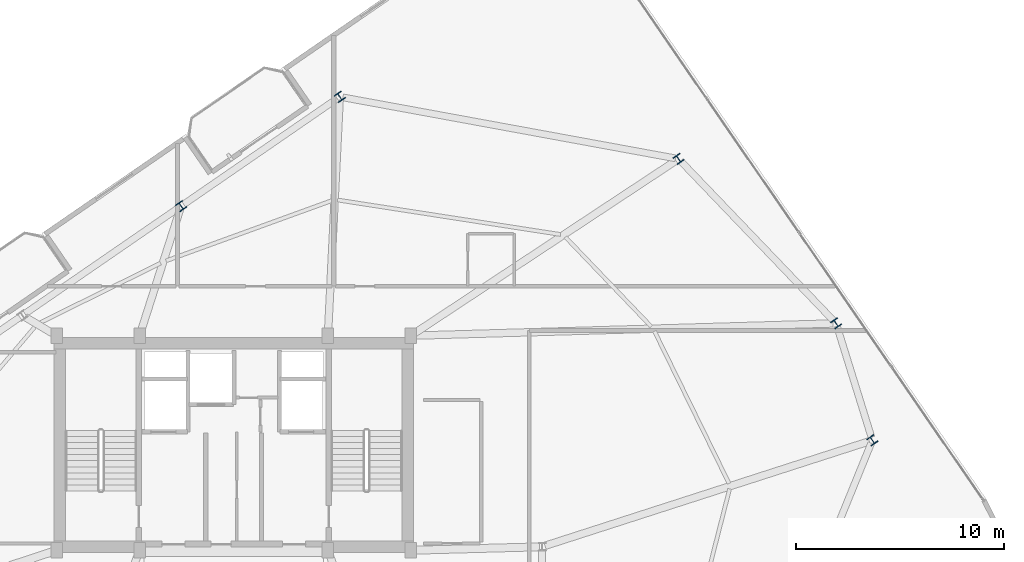
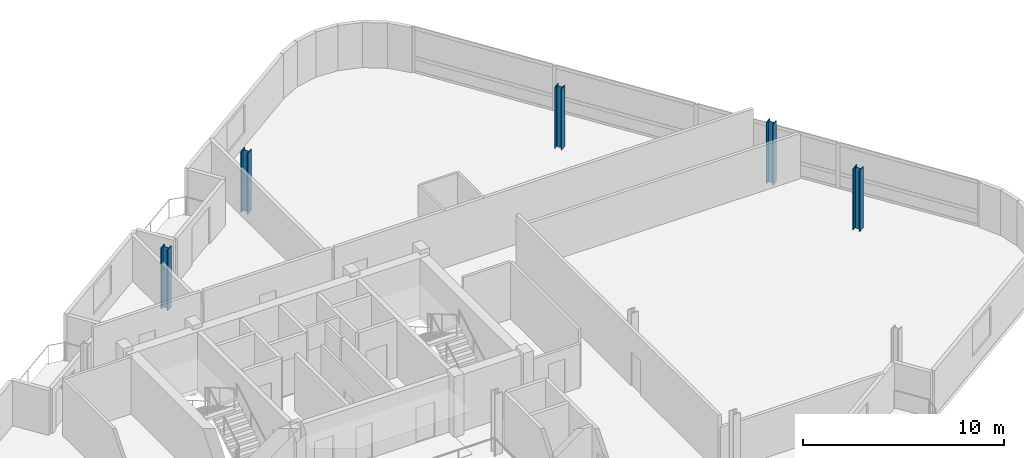
# One storey, part 2 of 21: 5 columns.
"""IFC4 building model written with IfcOpenShell, lengths in metres."""

import ifcopenshell
import ifcopenshell.guid

model = None  # the IFC model being written
_history = None  # IfcOwnerHistory: only IFC2X3 demands one
_inside = {}  # id of a spatial element -> (the spatial element, [elements in it])
_under = {}  # id of a project, library or spatial element -> (it, [spatial elements below it])
_declared = {}  # id of a project -> (the project, [libraries it declares])
_typed = {}  # id of a type object -> (the type object, [elements of that type])
_made_of = {}  # id of a material, layer set ... -> (it, [elements and type objects made of it])


def new_model(schema):
    """Start an empty IFC model of exactly this schema.

    Asked for "IFC4X3", IfcOpenShell would pick the latest addendum, in which some entities
    have other attributes; the version numbers below select the first issue.
    IFC2X3 requires an IfcOwnerHistory on every rooted entity: one is made here for all.
    """
    global model, _history
    if schema == "IFC4X3":
        model = ifcopenshell.file(schema_version=(4, 3, 0, 0))
    else:
        model = ifcopenshell.file(schema=schema)
    _inside.clear()
    _under.clear()
    _declared.clear()
    _typed.clear()
    _made_of.clear()
    _history = None
    if model.schema == "IFC2X3":
        org = make("IfcOrganization", Name="unknown")
        user = make(
            "IfcPersonAndOrganization",
            ThePerson=make("IfcPerson", FamilyName="unknown"),
            TheOrganization=org,
        )
        app = make(
            "IfcApplication",
            ApplicationDeveloper=org,
            Version="unknown",
            ApplicationFullName="unknown",
            ApplicationIdentifier="unknown",
        )
        _history = make(
            "IfcOwnerHistory",
            OwningUser=user,
            OwningApplication=app,
            ChangeAction="ADDED",
            CreationDate=0,
        )
    return model


def make(cls, **values):
    """One entity of the class cls with the attributes given. An attribute that is None is left unset."""
    return model.create_entity(
        cls, **{name: value for name, value in values.items() if value is not None}
    )


def rooted(cls, **values):
    """An entity with a GlobalId (a new one), such as an element, a storey or a relation."""
    return make(cls, GlobalId=ifcopenshell.guid.new(), OwnerHistory=_history, **values)


def si_unit(unit_type, name, prefix=None):
    """IfcSIUnit, for example si_unit("LENGTHUNIT", "METRE", prefix="MILLI")."""
    return make("IfcSIUnit", UnitType=unit_type, Prefix=prefix, Name=name)


def assignment(units):
    """IfcUnitAssignment: the units of a project."""
    return None if units is None else make("IfcUnitAssignment", Units=units)


def point(xyz):
    """IfcCartesianPoint."""
    return None if xyz is None else make("IfcCartesianPoint", Coordinates=xyz)


def direction(xyz):
    """IfcDirection."""
    return None if xyz is None else make("IfcDirection", DirectionRatios=xyz)


def frame(location, z_axis=None, x_axis=None):
    """IfcAxis2Placement3D, a coordinate frame: its origin and axes. An axis left out is left unset."""
    return make(
        "IfcAxis2Placement3D",
        Location=point(location),
        Axis=direction(z_axis),
        RefDirection=direction(x_axis),
    )


def frame_2d(location, x_axis=None):
    """IfcAxis2Placement2D, a coordinate frame in the plane: its origin and x axis."""
    return make(
        "IfcAxis2Placement2D", Location=point(location), RefDirection=direction(x_axis)
    )


def origin():
    """The frame at (0, 0, 0) with its axes left unset."""
    return frame((0.0, 0.0, 0.0))


def origin_2d():
    """The frame at (0, 0) in the plane with its x axis left unset."""
    return frame_2d((0.0, 0.0))


def place(relative_to, where):
    """IfcLocalPlacement: puts the frame where relative to a parent placement (None: the world)."""
    return make(
        "IfcLocalPlacement", PlacementRelTo=relative_to, RelativePlacement=where
    )


def context(
    kind, dimensions, precision=None, world=None, true_north=None, identifier=None
):
    """IfcGeometricRepresentationContext, for example the 3D "Model" context."""
    return make(
        "IfcGeometricRepresentationContext",
        ContextIdentifier=identifier,
        ContextType=kind,
        CoordinateSpaceDimension=dimensions,
        Precision=precision,
        WorldCoordinateSystem=world,
        TrueNorth=true_north,
    )


def subcontext(parent, identifier, kind, view, scale=None):
    """IfcGeometricRepresentationSubContext, for example "Body" below "Model"."""
    return make(
        "IfcGeometricRepresentationSubContext",
        ContextIdentifier=identifier,
        ContextType=kind,
        ParentContext=parent,
        TargetScale=scale,
        TargetView=view,
    )


def project(units=None, contexts=None):
    """IfcProject with its units and contexts."""
    return rooted(
        "IfcProject",
        Name="project",
        RepresentationContexts=contexts,
        UnitsInContext=assignment(units),
    )


def spatial(cls, under=None, at=None, **own):
    """A site, building, storey or space (cls), placed at a placement, below another one or the project."""
    s = rooted(cls, ObjectPlacement=at, **own)
    if under is not None:
        _under.setdefault(under.id(), (under, []))[1].append(s)
    return s


def profile(cls, at=None, kind="AREA", **sizes):
    """A parametric profile (cls). Its sizes go by their IFC names, for example OverallWidth=200.0."""
    return make(cls, ProfileType=kind, Position=at, **sizes)


def i_section(**sizes):
    """IfcIShapeProfileDef."""
    return profile("IfcIShapeProfileDef", **sizes)


def extrude(swept, where, along, depth):
    """IfcExtrudedAreaSolid: the profile swept, set in the frame where, extruded along a direction by depth."""
    return make(
        "IfcExtrudedAreaSolid",
        SweptArea=swept,
        Position=where,
        ExtrudedDirection=direction(along),
        Depth=depth,
    )


def shape(context_of_items, identifier, shape_type, items):
    """IfcShapeRepresentation: the items that make up one representation, for example the "Body"."""
    return make(
        "IfcShapeRepresentation",
        ContextOfItems=context_of_items,
        RepresentationIdentifier=identifier,
        RepresentationType=shape_type,
        Items=items,
    )


def material(Name=None, Category=None):
    """IfcMaterial."""
    return make("IfcMaterial", Name=Name, Category=Category)


def material_profile(
    of_material, cross_section, Name=None, Category=None, Priority=None
):
    """IfcMaterialProfile: a cross section and its material."""
    return make(
        "IfcMaterialProfile",
        Name=Name,
        Material=of_material,
        Profile=cross_section,
        Priority=Priority,
        Category=Category,
    )


def profile_set(profiles, Name=None, composite=None):
    """IfcMaterialProfileSet."""
    return make(
        "IfcMaterialProfileSet",
        Name=Name,
        MaterialProfiles=profiles,
        CompositeProfile=composite,
    )


def made_of(thing, what):
    """Note that an element or type object is made of a material, layer set ...; save() writes the relation."""
    if what is not None:
        _made_of.setdefault(what.id(), (what, []))[1].append(thing)
    return thing


def type_object(cls, material=None, **own):
    """A type object (cls), such as IfcWallType, which elements share."""
    return made_of(rooted(cls, **own), material)


def element(
    cls,
    number,
    at=None,
    inside=None,
    cuts=None,
    type_object=None,
    material=None,
    context=None,
    identifier="Body",
    shape_type=None,
    held_by="IfcProductDefinitionShape",
    body=None,
    shapes=None,
    **own,
):
    """One element of the class cls, such as IfcWall. Its Tag is "e" and its number.

    at: its placement. inside: the storey or other place that contains it. cuts: it is an
    opening in that element (IfcRelVoidsElement). A single representation is given by context,
    identifier, shape_type and body (its items); several are given by shapes. held_by: the class
    of the entity that holds the representations. save() writes the other relations.
    """
    e = rooted(cls, Tag="e%d" % number, ObjectPlacement=at, **own)
    if body is not None:
        shapes = [shape(context, identifier, shape_type, body)]
    if shapes is not None:
        e.Representation = make(held_by, Representations=shapes)
    if inside is not None:
        _inside.setdefault(inside.id(), (inside, []))[1].append(e)
    if cuts is not None:
        rooted(
            "IfcRelVoidsElement", RelatingBuildingElement=cuts, RelatedOpeningElement=e
        )
    if type_object is not None:
        _typed.setdefault(type_object.id(), (type_object, []))[1].append(e)
    return made_of(e, material)


def aggregate(whole, parts):
    """IfcRelAggregates: a whole, such as a stair, and the parts it consists of."""
    return rooted("IfcRelAggregates", RelatingObject=whole, RelatedObjects=parts)


def save(model, path):
    """Write the relations noted so far, then the file.

    IfcRelAggregates (storeys below a building ...), IfcRelContainedInSpatialStructure (elements
    in a storey), IfcRelDefinesByType, IfcRelAssociatesMaterial and IfcRelDeclares: one each for
    every whole, place, type object, material and project.
    """
    for whole, parts in _under.values():
        aggregate(whole, parts)
    for where, things in _inside.values():
        rooted(
            "IfcRelContainedInSpatialStructure",
            RelatedElements=things,
            RelatingStructure=where,
        )
    for kind, things in _typed.values():
        rooted("IfcRelDefinesByType", RelatedObjects=things, RelatingType=kind)
    for what, things in _made_of.values():
        rooted("IfcRelAssociatesMaterial", RelatedObjects=things, RelatingMaterial=what)
    for by, libraries in _declared.values():
        rooted("IfcRelDeclares", RelatingContext=by, RelatedDefinitions=libraries)
    model.write(path)


model = new_model("IFC4")

# Units and contexts
model_context = context("Model", 3, precision=1e-05, world=origin(), true_north=direction((0.0, 1.0)))
body_context = subcontext(model_context, "Body", "Model", "MODEL_VIEW")
ifc_project = project(units=[si_unit("LENGTHUNIT", "METRE"), si_unit("AREAUNIT", "SQUARE_METRE"), si_unit("VOLUMEUNIT", "CUBIC_METRE"), si_unit("PLANEANGLEUNIT", "RADIAN"), si_unit("MASSUNIT", "GRAM", prefix="KILO")], contexts=[model_context])

# Site, building, storey
site_placement = place(None, origin())
site = spatial("IfcSite", under=ifc_project, at=site_placement, CompositionType="ELEMENT")
building_placement = place(site_placement, origin())
building = spatial("IfcBuilding", under=site, at=building_placement, Name="Varnelok Gate Tower", CompositionType="ELEMENT")
storey_placement = place(building_placement, frame((0.0, 0.0, 261.89990234375)))
storey = spatial("IfcBuildingStorey", under=building, at=storey_placement, Name="L67", CompositionType="ELEMENT", Elevation=261.89990234375)

# Columns
ifc_material = material(Name="Structural Steel ASTM A992 Grade 50", Category="steel")
ifc_material_profile = material_profile(ifc_material, i_section(OverallWidth=0.40087890625, OverallDepth=0.39892578125, WebThickness=0.02490234375, FlangeThickness=0.03955078125, FilletRadius=0.02197265625, at=origin_2d()), Name="W14X211")
ifc_profile_set = profile_set([ifc_material_profile], Name="Structural Steel ASTM A992 Grade 50")
column_type = type_object("IfcColumnType", Name="COL-W14X211", PredefinedType="COLUMN", material=ifc_profile_set)
for number, where, z_axis, x_axis, name in (
    (1, (69.856689453125, 34.031494140625, 0.0), (0.0, 0.0, 1.0), (0.823532597628, 0.567268949127, 0.0), "L67 B6 Perimeter Column PC06"),
    (2, (68.115478515625, 39.644287109375, 0.0), (0.0, 0.0, 1.0), (0.823532597628, 0.567268949127, 0.0), "L67 B6 Perimeter Column PC07"),
    (3, (60.5537109375, 47.537353515625, 0.0), (0.0, 0.0, 1.0), (0.823532597628, 0.567268949127, 0.0), "L67 B6 Perimeter Column PC08"),
    (4, (44.29248046875, 50.519287109375, 0.0), (0.0, 0.0, 1.0), (0.823532597628, 0.567268949127, 0.0), "L67 B6 Perimeter Column PC09"),
    (5, (36.6748046875, 45.27197265625, 0.0), (0.0, 0.0, 1.0), (0.823532597628, 0.567268949127, 0.0), "L67 B6 Perimeter Column PC10"),
):
    element("IfcColumn", number, at=place(storey_placement, frame(where, z_axis=z_axis, x_axis=x_axis)), inside=storey, type_object=column_type, Name=name, PredefinedType="COLUMN", context=body_context, shape_type="SweptSolid", body=[
        extrude(i_section(OverallWidth=0.40087890625, OverallDepth=0.39892578125, WebThickness=0.02490234375, FlangeThickness=0.03955078125, FilletRadius=0.02197265625, at=origin_2d()), origin(), (0.0, 0.0, 1.0), 3.7001953125),
    ])

save(model, "model.ifc")
